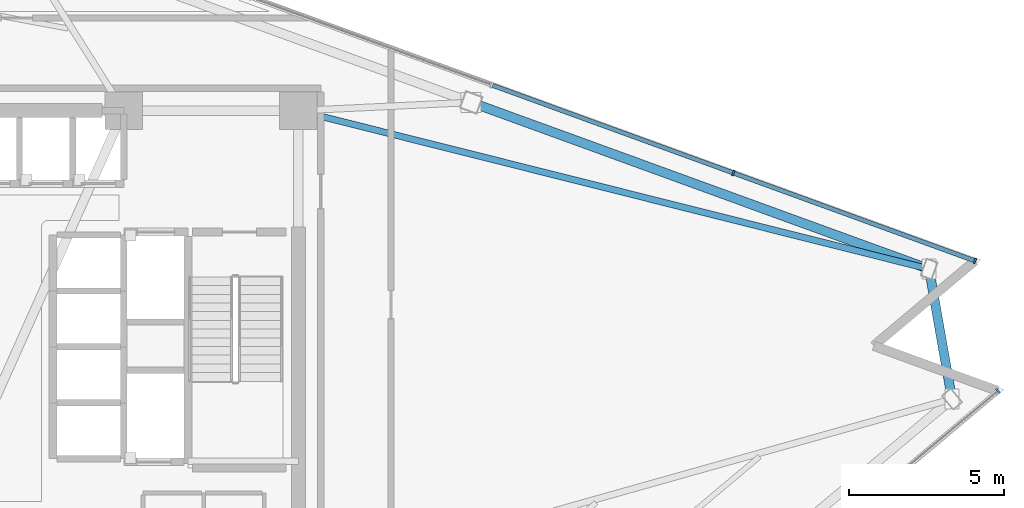
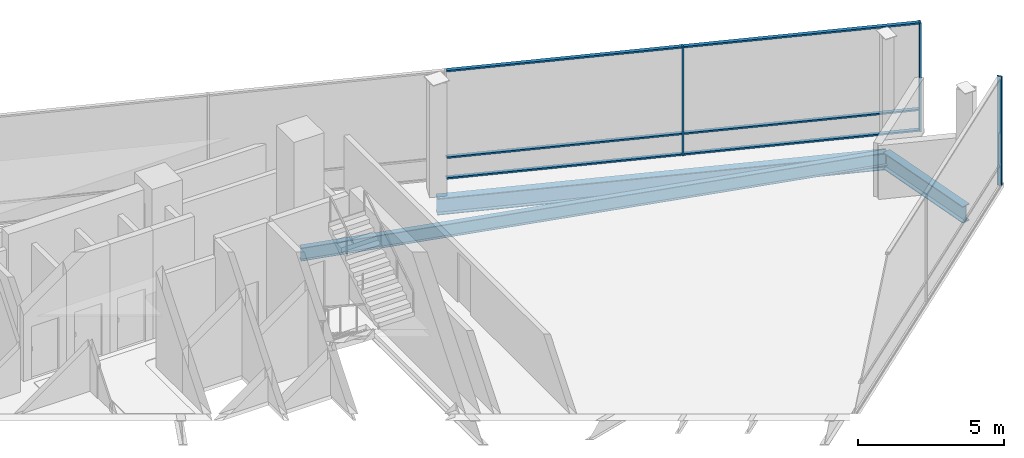
# One storey, part 8 of 15: 9 members, 3 beams, 2 elements without a shape of their own.
"""IFC4 building model written with IfcOpenShell, lengths in metres."""

from ifc_helpers import new_model, si_unit, direction, frame, origin, origin_2d, place, context, subcontext, project, spatial, rectangle, i_section, extrude, material, layer, layer_set, material_profile, profile_set, type_object, element, aggregate, save


model = new_model("IFC4")

# Units and contexts
model_context = context("Model", 3, precision=1e-05, world=origin(), true_north=direction((0.0, 1.0)))
body_context = subcontext(model_context, "Body", "Model", "MODEL_VIEW")
ifc_project = project(units=[si_unit("LENGTHUNIT", "METRE"), si_unit("AREAUNIT", "SQUARE_METRE"), si_unit("VOLUMEUNIT", "CUBIC_METRE"), si_unit("PLANEANGLEUNIT", "RADIAN"), si_unit("MASSUNIT", "GRAM", prefix="KILO")], contexts=[model_context])

# Site, building, storey
site_placement = place(None, origin())
site = spatial("IfcSite", under=ifc_project, at=site_placement, CompositionType="ELEMENT")
building_placement = place(site_placement, origin())
building = spatial("IfcBuilding", under=site, at=building_placement, Name="Tharavind Bronze Gate", CompositionType="ELEMENT")
storey_placement = place(building_placement, frame((0.0, 0.0, 192.10009765625)))
storey = spatial("IfcBuildingStorey", under=building, at=storey_placement, Name="L49", CompositionType="ELEMENT", Elevation=192.10009765625)

# Curtain wall, member
ifc_material_1 = material(Name="Anodised Bronze Aluminium", Category="aluminium")
ifc_layer = layer(ifc_material_1, 0.219970703125)
ifc_layer_set = layer_set([ifc_layer], Name="Anodised Bronze Aluminium")
curtain_wall_type = type_object("IfcCurtainWallType", Name="UNITISED CURTAIN WALL MID OFFICE", PredefinedType="USERDEFINED", material=ifc_layer_set)
curtain_wall_1_placement = place(storey_placement, origin())
curtain_wall_1 = element("IfcCurtainWall", 1, at=curtain_wall_1_placement, inside=storey, type_object=curtain_wall_type, Name="L49 unitised curtain wall mid office CW-L49-S2", ObjectType="UNITISED CURTAIN WALL", PredefinedType="USERDEFINED")
member_type_1 = type_object("IfcMemberType", Name="CURTAIN WALL BRONZE MULLION 65X180", PredefinedType="MULLION", material=ifc_material_1)
member_1_placement = place(storey_placement, frame((31.410888671875, -1.418212890625, -0.000244140625), z_axis=(0.0, 0.0, 1.0), x_axis=(0.766043321242, 0.642788946685, 0.0)))
member_1 = element("IfcMember", 2, at=member_1_placement, type_object=member_type_1, Name="CW-L49-S2 mullion 8", PredefinedType="MULLION", context=body_context, shape_type="SweptSolid", body=[
    extrude(rectangle(XDim=0.06494140625, YDim=0.179931640625, at=origin_2d()), origin(), (0.0, 0.0, 1.0), 4.56005859375),
])
aggregate(curtain_wall_1, [member_1])

# Curtain wall, members
curtain_wall_2_placement = place(storey_placement, origin())
curtain_wall_2 = element("IfcCurtainWall", 3, at=curtain_wall_2_placement, inside=storey, type_object=curtain_wall_type, Name="L49 unitised curtain wall mid office CW-L49-S3", ObjectType="UNITISED CURTAIN WALL", PredefinedType="USERDEFINED")
member_2_placement = place(storey_placement, frame((30.67333984375, 2.765380859375, -0.000244140625), z_axis=(0.0, 0.0, 1.0), x_axis=(-0.939692023847, 0.342021783398, 0.0)))
member_2 = element("IfcMember", 4, at=member_2_placement, type_object=member_type_1, Name="CW-L49-S3 mullion 1", PredefinedType="MULLION", context=body_context, shape_type="SweptSolid", body=[
    extrude(rectangle(XDim=0.06494140625, YDim=0.179931640625, at=origin_2d()), origin(), (0.0, 0.0, 1.0), 4.56005859375),
])
member_3_placement = place(storey_placement, frame((22.89892578125, 5.594970703125, -0.000244140625), z_axis=(0.0, 0.0, 1.0), x_axis=(-0.939692023847, 0.342021783398, 0.0)))
member_3 = element("IfcMember", 5, at=member_3_placement, type_object=member_type_1, Name="CW-L49-S3 mullion 2", PredefinedType="MULLION", context=body_context, shape_type="SweptSolid", body=[
    extrude(rectangle(XDim=0.06494140625, YDim=0.179931640625, at=origin_2d()), origin(), (0.0, 0.0, 1.0), 4.56005859375),
])
member_type_2 = type_object("IfcMemberType", Name="CURTAIN WALL BRONZE TRANSOM 65X140", PredefinedType="USERDEFINED", material=ifc_material_1)
member_4_placement = place(storey_placement, frame((26.7861328125, 4.18017578125, 0.0), z_axis=(0.0, 0.0, 1.0), x_axis=(-0.939692023847, 0.342021783398, 0.0)))
member_4 = element("IfcMember", 6, at=member_4_placement, type_object=member_type_2, Name="CW-L49-S3 transom TB1", ObjectType="TRANSOM", PredefinedType="USERDEFINED", context=body_context, shape_type="SweptSolid", body=[
    extrude(rectangle(XDim=8.220458984375, YDim=0.139892578125, at=origin_2d()), origin(), (0.0, 0.0, 1.0), 0.06494140625),
])
member_5_placement = place(storey_placement, frame((26.7861328125, 4.18017578125, 0.867431640625), z_axis=(0.0, 0.0, 1.0), x_axis=(-0.939692023847, 0.342021783398, 0.0)))
member_5 = element("IfcMember", 7, at=member_5_placement, type_object=member_type_2, Name="CW-L49-S3 transom TS1", ObjectType="TRANSOM", PredefinedType="USERDEFINED", context=body_context, shape_type="SweptSolid", body=[
    extrude(rectangle(XDim=8.220458984375, YDim=0.139892578125, at=origin_2d()), origin(), (0.0, 0.0, 1.0), 0.06494140625),
])
member_6_placement = place(storey_placement, frame((26.7861328125, 4.18017578125, 4.494873046875), z_axis=(0.0, 0.0, 1.0), x_axis=(-0.939692023847, 0.342021783398, 0.0)))
member_6 = element("IfcMember", 8, at=member_6_placement, type_object=member_type_2, Name="CW-L49-S3 transom TT1", ObjectType="TRANSOM", PredefinedType="USERDEFINED", context=body_context, shape_type="SweptSolid", body=[
    extrude(rectangle(XDim=8.220458984375, YDim=0.139892578125, at=origin_2d()), origin(), (0.0, 0.0, 1.0), 0.06494140625),
])
member_7_placement = place(storey_placement, frame((19.01171875, 7.009765625, 0.0), z_axis=(0.0, 0.0, 1.0), x_axis=(-0.939692023847, 0.342021783398, 0.0)))
member_7 = element("IfcMember", 9, at=member_7_placement, type_object=member_type_2, Name="CW-L49-S3 transom TB2", ObjectType="TRANSOM", PredefinedType="USERDEFINED", context=body_context, shape_type="SweptSolid", body=[
    extrude(rectangle(XDim=8.220458984375, YDim=0.139892578125, at=origin_2d()), origin(), (0.0, 0.0, 1.0), 0.06494140625),
])
member_8_placement = place(storey_placement, frame((19.01171875, 7.009765625, 0.867431640625), z_axis=(0.0, 0.0, 1.0), x_axis=(-0.939692023847, 0.342021783398, 0.0)))
member_8 = element("IfcMember", 10, at=member_8_placement, type_object=member_type_2, Name="CW-L49-S3 transom TS2", ObjectType="TRANSOM", PredefinedType="USERDEFINED", context=body_context, shape_type="SweptSolid", body=[
    extrude(rectangle(XDim=8.220458984375, YDim=0.139892578125, at=origin_2d()), origin(), (0.0, 0.0, 1.0), 0.06494140625),
])
member_9_placement = place(storey_placement, frame((19.01171875, 7.009765625, 4.494873046875), z_axis=(0.0, 0.0, 1.0), x_axis=(-0.939692023847, 0.342021783398, 0.0)))
member_9 = element("IfcMember", 11, at=member_9_placement, type_object=member_type_2, Name="CW-L49-S3 transom TT2", ObjectType="TRANSOM", PredefinedType="USERDEFINED", context=body_context, shape_type="SweptSolid", body=[
    extrude(rectangle(XDim=8.220458984375, YDim=0.139892578125, at=origin_2d()), origin(), (0.0, 0.0, 1.0), 0.06494140625),
])
aggregate(curtain_wall_2, [member_2, member_3, member_4, member_5, member_6, member_7, member_8, member_9])

# Beams
ifc_material_2 = material(Name="Steel S355", Category="steel")
ifc_material_profile_1 = material_profile(ifc_material_2, i_section(OverallWidth=0.2099609375, OverallDepth=0.550048828125, WebThickness=0.010986328125, FlangeThickness=0.01708984375, at=origin_2d()), Name="IPE550")
ifc_profile_set_1 = profile_set([ifc_material_profile_1], Name="Steel S355")
beam_type_1 = type_object("IfcBeamType", Name="PRIMARY GIRDER IPE550", PredefinedType="USERDEFINED", material=ifc_profile_set_1)
beam_1_placement = place(storey_placement, frame((29.1962890625, 2.5048828125, -0.455078125), z_axis=(-0.969904582273, 0.243485320471, 0.0), x_axis=(-0.243485320471, -0.969904582273, 0.0)))
element("IfcBeam", 12, at=beam_1_placement, inside=storey, type_object=beam_type_1, Name="L49 primary girder ipe550 BM-L49-RAD09", ObjectType="GIRDER", PredefinedType="USERDEFINED", context=body_context, shape_type="SweptSolid", body=[
    extrude(i_section(OverallWidth=0.2099609375, OverallDepth=0.550048828125, WebThickness=0.010986328125, FlangeThickness=0.01708984375, at=origin_2d()), origin(), (0.0, 0.0, 1.0), 20.92626953125),
])
ifc_material_profile_2 = material_profile(ifc_material_2, i_section(OverallWidth=0.300048828125, OverallDepth=0.699951171875, WebThickness=0.01708984375, FlangeThickness=0.031982421875, at=origin_2d()), Name="HE700B")
ifc_profile_set_2 = profile_set([ifc_material_profile_2], Name="Steel S355")
beam_type_2 = type_object("IfcBeamType", Name="RING GIRDER HE700B", PredefinedType="USERDEFINED", material=ifc_profile_set_2)
beam_2_placement = place(storey_placement, frame((29.933837890625, -1.6787109375, -0.530029296875), z_axis=(-0.173618127207, 0.984813051246, 0.0), x_axis=(-0.984813051246, -0.173618127207, 0.0)))
element("IfcBeam", 13, at=beam_2_placement, inside=storey, type_object=beam_type_2, Name="L49 ring girder he700b BM-L49-PRG08", ObjectType="GIRDER", PredefinedType="USERDEFINED", context=body_context, shape_type="SweptSolid", body=[
    extrude(i_section(OverallWidth=0.300048828125, OverallDepth=0.699951171875, WebThickness=0.01708984375, FlangeThickness=0.031982421875, at=origin_2d()), origin(), (0.0, 0.0, 1.0), 4.248046875),
])
beam_3_placement = place(storey_placement, frame((29.1962890625, 2.5048828125, -0.530029296875), z_axis=(-0.939694739877, 0.342014321115, 0.0), x_axis=(-0.342014321115, -0.939694739877, 0.0)))
element("IfcBeam", 14, at=beam_3_placement, inside=storey, type_object=beam_type_2, Name="L49 ring girder he700b BM-L49-PRG09", ObjectType="GIRDER", PredefinedType="USERDEFINED", context=body_context, shape_type="SweptSolid", body=[
    extrude(i_section(OverallWidth=0.300048828125, OverallDepth=0.699951171875, WebThickness=0.01708984375, FlangeThickness=0.031982421875, at=origin_2d()), origin(), (0.0, 0.0, 1.0), 15.6806640625),
])

save(model, "model.ifc")
